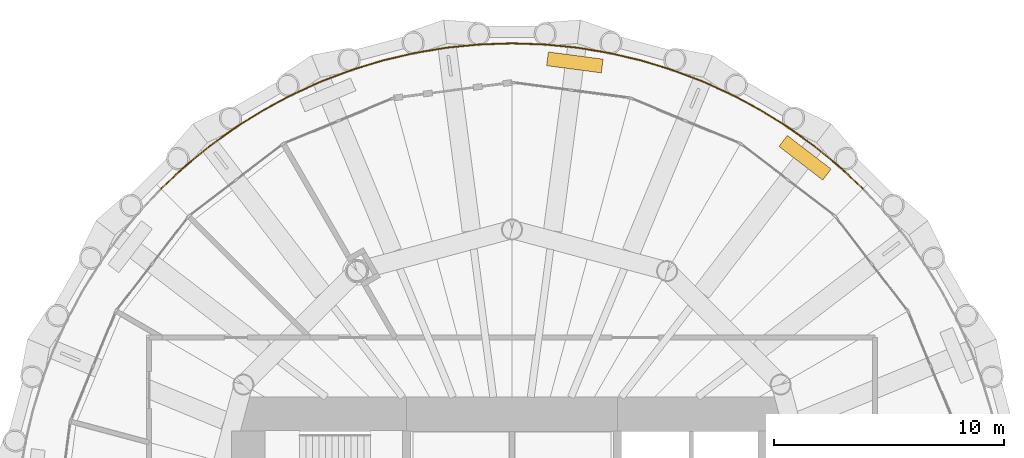
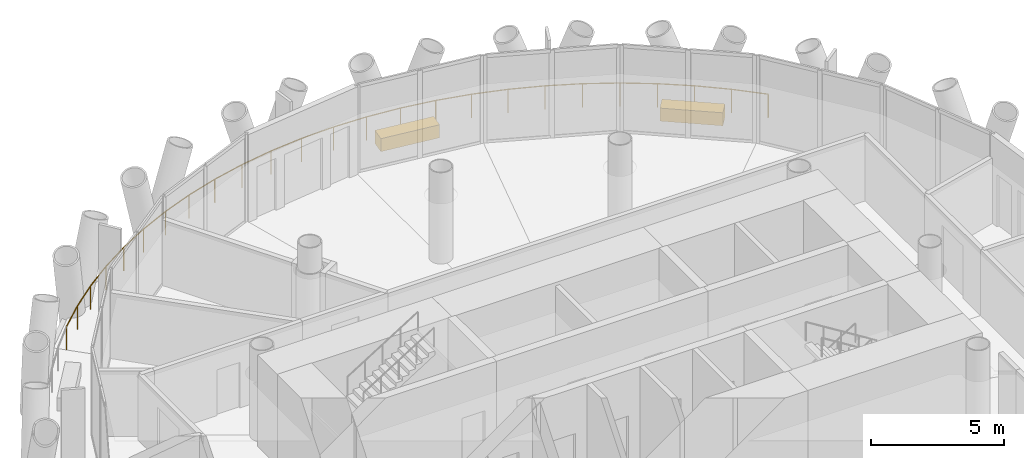
# One storey, part 16 of 16: 2 coverings, 1 railing.
"""IFC4 building model written with IfcOpenShell, lengths in metres."""

from ifc_helpers import new_model, si_unit, direction, frame, origin, origin_2d, place, context, subcontext, project, spatial, rectangle, circle, extrude, material, layer, layer_set, type_object, element, save


model = new_model("IFC4")

# Units and contexts
model_context = context("Model", 3, precision=1e-05, world=origin(), true_north=direction((0.0, 1.0)))
body_context = subcontext(model_context, "Body", "Model", "MODEL_VIEW")
ifc_project = project(units=[si_unit("LENGTHUNIT", "METRE"), si_unit("AREAUNIT", "SQUARE_METRE"), si_unit("VOLUMEUNIT", "CUBIC_METRE"), si_unit("PLANEANGLEUNIT", "RADIAN"), si_unit("MASSUNIT", "GRAM", prefix="KILO")], contexts=[model_context])

# Site, building, storey
site_placement = place(None, origin())
site = spatial("IfcSite", under=ifc_project, at=site_placement, CompositionType="ELEMENT")
building_placement = place(site_placement, origin())
building = spatial("IfcBuilding", under=site, at=building_placement, Name="Qaws Media Tower", CompositionType="ELEMENT")
storey_placement = place(building_placement, frame((0.0, 0.0, 252.800048828125)))
storey = spatial("IfcBuildingStorey", under=building, at=storey_placement, Name="L58", CompositionType="ELEMENT", Elevation=252.800048828125)

# Railing
ifc_material_1 = material(Name="Stainless steel and glass guard", Category="steel")
railing_type = type_object("IfcRailingType", Name="Balcony guard 1100", PredefinedType="GUARDRAIL", material=ifc_material_1)
railing_placement = place(storey_placement, frame((75.2734375, 65.2734375, 0.0)))
element("IfcRailing", 1, at=railing_placement, inside=storey, type_object=railing_type, Name="GR1 balcony guard L58-1", PredefinedType="GUARDRAIL", context=body_context, shape_type="SweptSolid", body=[
    extrude(circle(Radius=0.02392578125, at=origin_2d()), frame((0.0, 0.0, 1.076171875), z_axis=(-0.729790326017, 0.683671032041, 0.0), x_axis=(-0.683671032041, -0.729790326017, 0.0)), (0.0, 0.0, 1.0), 1.413330078125),
    extrude(circle(Radius=0.02392578125, at=origin_2d()), frame((-1.031494140625, 0.96630859375, 1.076171875), z_axis=(-0.773040795861, 0.634356309919, 0.0), x_axis=(-0.634356309919, -0.773040795861, 0.0)), (0.0, 0.0, 1.0), 1.41357421875),
    extrude(circle(Radius=0.02392578125, at=origin_2d()), frame((-2.124267578125, 1.863037109375, 1.076171875), z_axis=(-0.812868921269, 0.582446664369, 0.0), x_axis=(-0.582446664369, -0.812868921269, 0.0)), (0.0, 0.0, 1.0), 1.413330078125),
    extrude(circle(Radius=0.02392578125, at=origin_2d()), frame((-3.273193359375, 2.686279296875, 1.076171875), z_axis=(-0.849199489161, 0.528072180302, 0.0), x_axis=(-0.528072180302, -0.849199489161, 0.0)), (0.0, 0.0, 1.0), 1.413330078125),
    extrude(circle(Radius=0.02392578125, at=origin_2d()), frame((-4.473388671875, 3.4326171875, 1.076171875), z_axis=(-0.881864811477, 0.471502337511, 0.0), x_axis=(-0.471502337511, -0.881864811477, 0.0)), (0.0, 0.0, 1.0), 1.41357421875),
    extrude(circle(Radius=0.02392578125, at=origin_2d()), frame((-5.719970703125, 4.09912109375, 1.076171875), z_axis=(-0.91090396594, 0.412618425224, 0.0), x_axis=(-0.412618425224, -0.91090396594, 0.0)), (0.0, 0.0, 1.0), 1.41357421875),
    extrude(circle(Radius=0.02392578125, at=origin_2d()), frame((-7.007568359375, 4.682373046875, 1.076171875), z_axis=(-0.935916792317, 0.35222117747, 0.0), x_axis=(-0.35222117747, -0.935916792317, 0.0)), (0.0, 0.0, 1.0), 1.413330078125),
    extrude(circle(Radius=0.02392578125, at=origin_2d()), frame((-8.330322265625, 5.18017578125, 1.076171875), z_axis=(-0.956918291565, 0.290357337206, 0.0), x_axis=(-0.290357337206, -0.956918291565, 0.0)), (0.0, 0.0, 1.0), 1.413330078125),
    extrude(circle(Radius=0.02392578125, at=origin_2d()), frame((-9.682861328125, 5.590576171875, 1.076171875), z_axis=(-0.97387050105, 0.227104044845, 0.0), x_axis=(-0.227104044845, -0.97387050105, 0.0)), (0.0, 0.0, 1.0), 1.41357421875),
    extrude(circle(Radius=0.02392578125, at=origin_2d()), frame((-11.0595703125, 5.91162109375, 1.076171875), z_axis=(-0.986644859384, 0.162886222409, 0.0), x_axis=(-0.162886222409, -0.986644859384, 0.0)), (0.0, 0.0, 1.0), 1.413330078125),
    extrude(circle(Radius=0.02392578125, at=origin_2d()), frame((-12.4541015625, 6.141845703125, 1.076171875), z_axis=(-0.99519327251, 0.097930334174, 0.0), x_axis=(-0.097930334174, -0.99519327251, 0.0)), (0.0, 0.0, 1.0), 1.41357421875),
    extrude(circle(Radius=0.02392578125, at=origin_2d()), frame((-13.86083984375, 6.2802734375, 1.076171875), z_axis=(-0.999461272323, 0.032820193872, 0.0), x_axis=(-0.032820193872, -0.999461272323, 0.0)), (0.0, 0.0, 1.0), 1.413330078125),
    extrude(circle(Radius=0.02392578125, at=origin_2d()), frame((-15.2734375, 6.32666015625, 1.076171875), z_axis=(-0.999461272323, -0.032820193872, 0.0), x_axis=(0.032820193872, -0.999461272323, 0.0)), (0.0, 0.0, 1.0), 1.413330078125),
    extrude(circle(Radius=0.02392578125, at=origin_2d()), frame((-16.68603515625, 6.2802734375, 1.076171875), z_axis=(-0.99519327251, -0.097930334174, 0.0), x_axis=(0.097930334174, -0.99519327251, 0.0)), (0.0, 0.0, 1.0), 1.41357421875),
    extrude(circle(Radius=0.02392578125, at=origin_2d()), frame((-18.0927734375, 6.141845703125, 1.076171875), z_axis=(-0.986644859384, -0.162886222409, 0.0), x_axis=(0.162886222409, -0.986644859384, 0.0)), (0.0, 0.0, 1.0), 1.413330078125),
    extrude(circle(Radius=0.02392578125, at=origin_2d()), frame((-19.4873046875, 5.91162109375, 1.076171875), z_axis=(-0.97387050105, -0.227104044845, 0.0), x_axis=(0.227104044845, -0.97387050105, 0.0)), (0.0, 0.0, 1.0), 1.41357421875),
    extrude(circle(Radius=0.02392578125, at=origin_2d()), frame((-20.864013671875, 5.590576171875, 1.076171875), z_axis=(-0.956918291565, -0.290357337206, 0.0), x_axis=(0.290357337206, -0.956918291565, 0.0)), (0.0, 0.0, 1.0), 1.413330078125),
    extrude(circle(Radius=0.02392578125, at=origin_2d()), frame((-22.216552734375, 5.18017578125, 1.076171875), z_axis=(-0.935916792317, -0.35222117747, 0.0), x_axis=(0.35222117747, -0.935916792317, 0.0)), (0.0, 0.0, 1.0), 1.413330078125),
    extrude(circle(Radius=0.02392578125, at=origin_2d()), frame((-23.539306640625, 4.682373046875, 1.076171875), z_axis=(-0.91090396594, -0.412618425224, 0.0), x_axis=(0.412618425224, -0.91090396594, 0.0)), (0.0, 0.0, 1.0), 1.41357421875),
    extrude(circle(Radius=0.02392578125, at=origin_2d()), frame((-24.826904296875, 4.09912109375, 1.076171875), z_axis=(-0.881864811477, -0.471502337511, 0.0), x_axis=(0.471502337511, -0.881864811477, 0.0)), (0.0, 0.0, 1.0), 1.41357421875),
    extrude(circle(Radius=0.02392578125, at=origin_2d()), frame((-26.073486328125, 3.4326171875, 1.076171875), z_axis=(-0.849199489161, -0.528072180302, 0.0), x_axis=(0.528072180302, -0.849199489161, 0.0)), (0.0, 0.0, 1.0), 1.413330078125),
    extrude(circle(Radius=0.02392578125, at=origin_2d()), frame((-27.273681640625, 2.686279296875, 1.076171875), z_axis=(-0.812868921269, -0.582446664369, 0.0), x_axis=(0.582446664369, -0.812868921269, 0.0)), (0.0, 0.0, 1.0), 1.413330078125),
    extrude(circle(Radius=0.02392578125, at=origin_2d()), frame((-28.422607421875, 1.863037109375, 1.076171875), z_axis=(-0.773040795861, -0.634356309919, 0.0), x_axis=(0.634356309919, -0.773040795861, 0.0)), (0.0, 0.0, 1.0), 1.41357421875),
    extrude(circle(Radius=0.02392578125, at=origin_2d()), frame((-29.515380859375, 0.96630859375, 1.076171875), z_axis=(-0.729790326017, -0.683671032041, 0.0), x_axis=(0.683671032041, -0.729790326017, 0.0)), (0.0, 0.0, 1.0), 1.413330078125),
    extrude(circle(Radius=0.02099609375, at=origin_2d()), origin(), (0.0, 0.0, 1.0), 1.052001953125),
    extrude(circle(Radius=0.02099609375, at=origin_2d()), frame((-1.031494140625, 0.96630859375, 0.0)), (0.0, 0.0, 1.0), 1.052001953125),
    extrude(circle(Radius=0.02099609375, at=origin_2d()), frame((-2.124267578125, 1.863037109375, 0.0)), (0.0, 0.0, 1.0), 1.052001953125),
    extrude(circle(Radius=0.02099609375, at=origin_2d()), frame((-3.273193359375, 2.686279296875, 0.0)), (0.0, 0.0, 1.0), 1.052001953125),
    extrude(circle(Radius=0.02099609375, at=origin_2d()), frame((-4.473388671875, 3.4326171875, 0.0)), (0.0, 0.0, 1.0), 1.052001953125),
    extrude(circle(Radius=0.02099609375, at=origin_2d()), frame((-5.719970703125, 4.09912109375, 0.0)), (0.0, 0.0, 1.0), 1.052001953125),
    extrude(circle(Radius=0.02099609375, at=origin_2d()), frame((-7.007568359375, 4.682373046875, 0.0)), (0.0, 0.0, 1.0), 1.052001953125),
    extrude(circle(Radius=0.02099609375, at=origin_2d()), frame((-8.330322265625, 5.18017578125, 0.0)), (0.0, 0.0, 1.0), 1.052001953125),
    extrude(circle(Radius=0.02099609375, at=origin_2d()), frame((-9.682861328125, 5.590576171875, 0.0)), (0.0, 0.0, 1.0), 1.052001953125),
    extrude(circle(Radius=0.02099609375, at=origin_2d()), frame((-11.0595703125, 5.91162109375, 0.0)), (0.0, 0.0, 1.0), 1.052001953125),
    extrude(circle(Radius=0.02099609375, at=origin_2d()), frame((-12.4541015625, 6.141845703125, 0.0)), (0.0, 0.0, 1.0), 1.052001953125),
    extrude(circle(Radius=0.02099609375, at=origin_2d()), frame((-13.86083984375, 6.2802734375, 0.0)), (0.0, 0.0, 1.0), 1.052001953125),
    extrude(circle(Radius=0.02099609375, at=origin_2d()), frame((-15.2734375, 6.32666015625, 0.0)), (0.0, 0.0, 1.0), 1.052001953125),
    extrude(circle(Radius=0.02099609375, at=origin_2d()), frame((-16.68603515625, 6.2802734375, 0.0)), (0.0, 0.0, 1.0), 1.052001953125),
    extrude(circle(Radius=0.02099609375, at=origin_2d()), frame((-18.0927734375, 6.141845703125, 0.0)), (0.0, 0.0, 1.0), 1.052001953125),
    extrude(circle(Radius=0.02099609375, at=origin_2d()), frame((-19.4873046875, 5.91162109375, 0.0)), (0.0, 0.0, 1.0), 1.052001953125),
    extrude(circle(Radius=0.02099609375, at=origin_2d()), frame((-20.864013671875, 5.590576171875, 0.0)), (0.0, 0.0, 1.0), 1.052001953125),
    extrude(circle(Radius=0.02099609375, at=origin_2d()), frame((-22.216552734375, 5.18017578125, 0.0)), (0.0, 0.0, 1.0), 1.052001953125),
    extrude(circle(Radius=0.02099609375, at=origin_2d()), frame((-23.539306640625, 4.682373046875, 0.0)), (0.0, 0.0, 1.0), 1.052001953125),
    extrude(circle(Radius=0.02099609375, at=origin_2d()), frame((-24.826904296875, 4.09912109375, 0.0)), (0.0, 0.0, 1.0), 1.052001953125),
    extrude(circle(Radius=0.02099609375, at=origin_2d()), frame((-26.073486328125, 3.4326171875, 0.0)), (0.0, 0.0, 1.0), 1.052001953125),
    extrude(circle(Radius=0.02099609375, at=origin_2d()), frame((-27.273681640625, 2.686279296875, 0.0)), (0.0, 0.0, 1.0), 1.052001953125),
    extrude(circle(Radius=0.02099609375, at=origin_2d()), frame((-28.422607421875, 1.863037109375, 0.0)), (0.0, 0.0, 1.0), 1.052001953125),
    extrude(circle(Radius=0.02099609375, at=origin_2d()), frame((-29.515380859375, 0.96630859375, 0.0)), (0.0, 0.0, 1.0), 1.052001953125),
    extrude(circle(Radius=0.02099609375, at=origin_2d()), frame((-30.546875, 0.0, 0.0)), (0.0, 0.0, 1.0), 1.052001953125),
])

# Coverings
ifc_material_2 = material(Name="Precast concrete planter with trailing planting", Category="concrete")
ifc_layer = layer(ifc_material_2, 0.60009765625)
ifc_layer_set = layer_set([ifc_layer], Name="Planter 2400x600")
covering_type = type_object("IfcCoveringType", Name="Planter 2400x600", PredefinedType="USERDEFINED", material=ifc_layer_set)
for number, where, z_axis, x_axis, name in (
    (2, (72.753662109375, 66.620849609375, 0.0), (0.0, 0.0, 1.0), (-0.793353340291, 0.608761429009, 0.0), "PL1 balcony planter L58-02"),
    (3, (62.734619140625, 70.770751953125, 0.0), (0.0, 0.0, 1.0), (-0.991444861374, 0.13052619222, 0.0), "PL1 balcony planter L58-03"),
):
    element("IfcCovering", number, at=place(storey_placement, frame(where, z_axis=z_axis, x_axis=x_axis)), inside=storey, type_object=covering_type, Name=name, ObjectType="PLANTER", PredefinedType="USERDEFINED", context=body_context, shape_type="SweptSolid", body=[
        extrude(rectangle(XDim=2.39990234375, YDim=0.60009765625, at=origin_2d()), origin(), (0.0, 0.0, 1.0), 0.60009765625),
    ])

save(model, "model.ifc")
